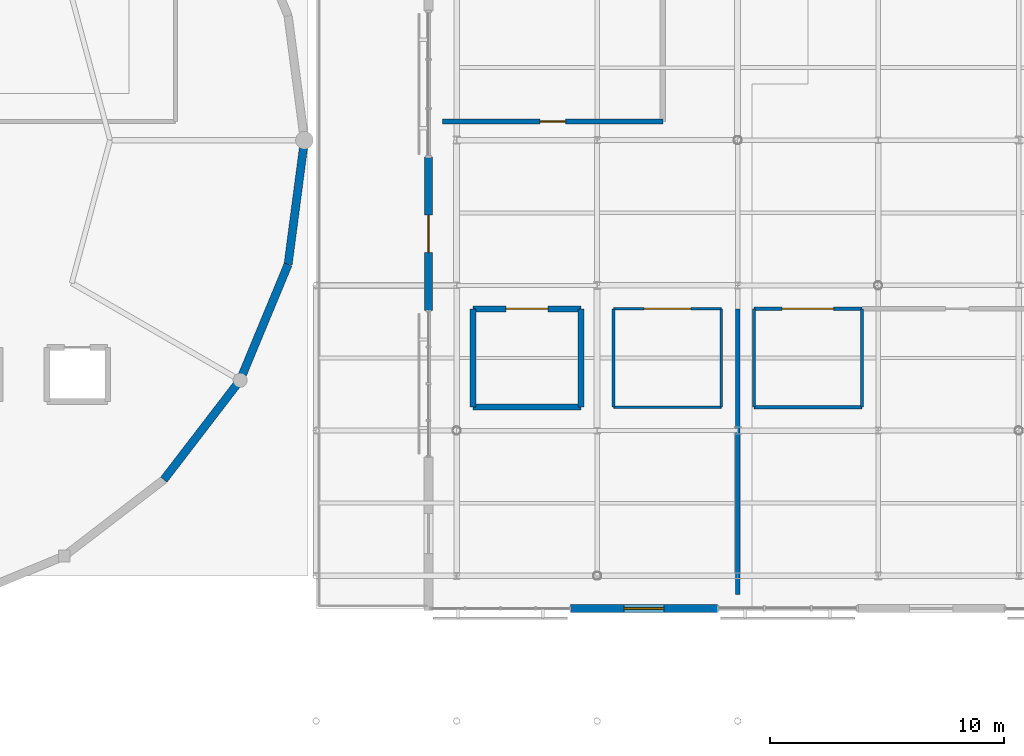
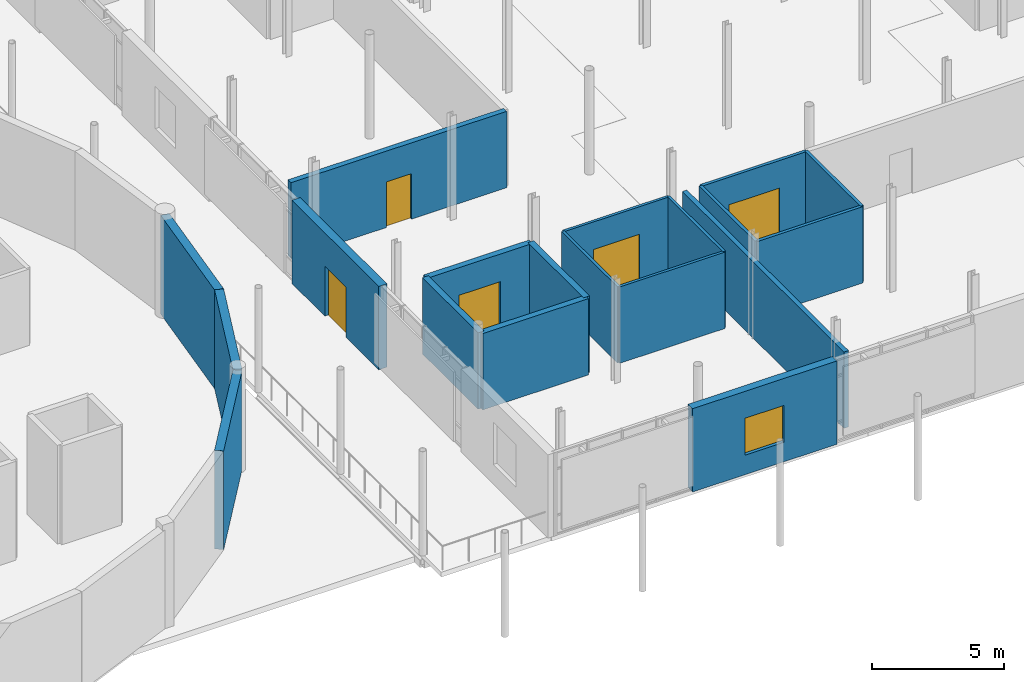
# One storey, part 59 of 84: 19 walls, 5 doors, 1 window, 6 openings.
"""IFC4 building model written with IfcOpenShell, lengths in metres."""

from ifc_helpers import new_model, si_unit, direction, frame, frame_2d, origin, place, context, subcontext, project, spatial, rectangle, extrude, material, layer, layer_set, type_object, element, fill, save


model = new_model("IFC4")

# Units and contexts
model_context = context("Model", 3, precision=1e-05, world=origin(), true_north=direction((0.0, 1.0)))
body_context = subcontext(model_context, "Body", "Model", "MODEL_VIEW")
ifc_project = project(units=[si_unit("LENGTHUNIT", "METRE"), si_unit("AREAUNIT", "SQUARE_METRE"), si_unit("VOLUMEUNIT", "CUBIC_METRE"), si_unit("PLANEANGLEUNIT", "RADIAN"), si_unit("MASSUNIT", "GRAM", prefix="KILO")], contexts=[model_context])

# Site, building, storey
site_placement = place(None, origin())
site = spatial("IfcSite", under=ifc_project, at=site_placement, CompositionType="ELEMENT")
building_placement = place(site_placement, origin())
building = spatial("IfcBuilding", under=site, at=building_placement, Name="Mirzam Square Science Centre", CompositionType="ELEMENT")
storey_placement = place(building_placement, frame((0.0, 0.0, 10.800048828125)))
storey = spatial("IfcBuildingStorey", under=building, at=storey_placement, Name="L02", CompositionType="ELEMENT", Elevation=10.800048828125)

# Walls
ifc_material_1 = material(Name="Concrete C45/55", Category="concrete")
ifc_layer_1 = layer(ifc_material_1, 0.35009765625)
ifc_layer_set_1 = layer_set([ifc_layer_1], Name="W-DRUM-350")
wall_type_1 = type_object("IfcWallType", Name="W-DRUM-350", PredefinedType="SHEAR", material=ifc_layer_set_1)
for number, where, z_axis, x_axis, name in (
    (1, (95.49560546875, 47.50439453125, 0.0), (0.0, 0.0, 1.0), (0.60876670321, 0.793349293227, 0.0), "L02 planetarium drum wall 22"),
    (2, (98.75341796875, 51.75, 0.0), (0.0, 0.0, 1.0), (0.382713071139, 0.923867255172, 0.0), "L02 planetarium drum wall 23"),
):
    element("IfcWall", number, at=place(storey_placement, frame(where, z_axis=z_axis, x_axis=x_axis)), inside=storey, type_object=wall_type_1, Name=name, PredefinedType="SHEAR", context=body_context, shape_type="SweptSolid", body=[
        extrude(rectangle(XDim=5.3515625, YDim=0.35009765625, at=frame_2d((2.67578125, 0.0))), origin(), (0.0, 0.0, 1.0), 4.550048828125),
    ])
wall_1_placement = place(storey_placement, frame((100.801513671875, 56.694091796875, 0.0), z_axis=(0.0, 0.0, 1.0), x_axis=(0.130517056518, 0.991446064069, 0.0)))
element("IfcWall", 3, at=wall_1_placement, inside=storey, type_object=wall_type_1, Name="L02 planetarium drum wall 24", PredefinedType="SHEAR", context=body_context, shape_type="SweptSolid", body=[
    extrude(rectangle(XDim=5.351806640625, YDim=0.35009765625, at=frame_2d((2.67578125, 0.0))), origin(), (0.0, 0.0, 1.0), 4.550048828125),
])

# Wall, opening, window
ifc_material_2 = material(Name="Insulated Sand-Toned GFRC Concrete C40/50", Category="concrete")
ifc_layer_2 = layer(ifc_material_2, 0.340087890625)
ifc_layer_set_2 = layer_set([ifc_layer_2], Name="W-EXT-GFRC-340")
wall_type_2 = type_object("IfcWallType", Name="W-EXT-GFRC-340", PredefinedType="SOLIDWALL", material=ifc_layer_set_2)
wall_2_placement = place(storey_placement, frame((112.8583984375, 42.0, 0.0), z_axis=(0.0, 0.0, 1.0), x_axis=(1.0, 0.0, 0.0)))
wall_2 = element("IfcWall", 4, at=wall_2_placement, inside=storey, type_object=wall_type_2, Name="L02 external wall EW-EST-S-L02-02", PredefinedType="SOLIDWALL", context=body_context, shape_type="SweptSolid", body=[
    extrude(rectangle(XDim=6.283203125, YDim=0.340087890625, at=frame_2d((3.1416015625, 0.0))), origin(), (0.0, 0.0, 1.0), 3.83984375),
])
opening_1_placement = place(wall_2_placement, frame((2.291748046875, 0.0, 0.89990234375)))
opening_1 = element("IfcOpeningElement", 5, at=opening_1_placement, cuts=wall_2, Name="Opening W-27", PredefinedType="OPENING", context=body_context, shape_type="SweptSolid", body=[
    extrude(rectangle(XDim=1.699951171875, YDim=1.699951171875, at=frame_2d((0.85009765625, 0.85009765625))), frame((0.0, 0.179931640625, 0.0), z_axis=(0.0, -1.0, 0.0), x_axis=(1.0, 0.0, 0.0)), (0.0, 0.0, 1.0), 0.360107421875),
])
ifc_material_3 = material(Name="Thermally Broken Bronze Aluminium and Low-E Glass", Category="aluminium")
window_type = type_object("IfcWindowType", Name="WIN-1700x1700", PartitioningType="SINGLE_PANEL", PredefinedType="WINDOW", material=ifc_material_3)
window_placement = place(opening_1_placement, origin())
window = element("IfcWindow", 6, at=window_placement, inside=storey, type_object=window_type, Name="L02 solar window 071", OverallHeight=1.699951171875, OverallWidth=1.699951171875, PartitioningType="SINGLE_PANEL", PredefinedType="WINDOW", context=body_context, shape_type="SweptSolid", body=[
    extrude(rectangle(XDim=1.699951171875, YDim=1.699951171875, at=frame_2d((0.85009765625, 0.85009765625))), frame((0.0, 0.030029296875, 0.0), z_axis=(0.0, -1.0, 0.0), x_axis=(1.0, 0.0, 0.0)), (0.0, 0.0, 1.0), 0.06005859375),
])
fill(opening_1, window)

# Wall, opening, door
ifc_layer_3 = layer(ifc_material_2, 0.35498046875)
ifc_layer_set_3 = layer_set([ifc_layer_3], Name="W-EXT-GFRC-355")
wall_type_3 = type_object("IfcWallType", Name="W-EXT-GFRC-355", PredefinedType="SOLIDWALL", material=ifc_layer_set_3)
wall_3_placement = place(storey_placement, frame((106.800048828125, 61.27490234375, 0.0), z_axis=(0.0, 0.0, 1.0), x_axis=(0.0, -1.0, 0.0)))
wall_3 = element("IfcWall", 7, at=wall_3_placement, inside=storey, type_object=wall_type_3, Name="L02 external wall EW-EST-W-L02-05", PredefinedType="SOLIDWALL", context=body_context, shape_type="SweptSolid", body=[
    extrude(rectangle(XDim=6.5498046875, YDim=0.35498046875, at=frame_2d((3.27490234375, 0.0))), origin(), (0.0, 0.0, 1.0), 3.83984375),
])
opening_2_placement = place(wall_3_placement, frame((2.47509765625, 0.0, 0.0)))
opening_2 = element("IfcOpeningElement", 8, at=opening_2_placement, cuts=wall_3, Name="Opening TD-03", PredefinedType="OPENING", context=body_context, shape_type="SweptSolid", body=[
    extrude(rectangle(XDim=1.60009765625, YDim=2.300048828125, at=frame_2d((0.800048828125, 1.14990234375))), frame((0.0, 0.1875, 0.0), z_axis=(0.0, -1.0, 0.0), x_axis=(1.0, 0.0, 0.0)), (0.0, 0.0, 1.0), 0.375),
])
ifc_material_4 = material(Name="Thermally Broken Bronze-Anodised Aluminium and Laminated Glass", Category="aluminium")
door_type_1 = type_object("IfcDoorType", Name="DR-TERR-1600x2300", OperationType="DOUBLE_DOOR_SINGLE_SWING", PredefinedType="DOOR", material=ifc_material_4)
door_1_placement = place(opening_2_placement, frame((1.60009765625, 0.0, 0.0), z_axis=(0.0, 0.0, 1.0), x_axis=(-1.0, 0.0, 0.0)))
door_1 = element("IfcDoor", 9, at=door_1_placement, inside=storey, type_object=door_type_1, Name="ED-L02-023", OperationType="DOUBLE_DOOR_SINGLE_SWING", OverallHeight=2.300048828125, OverallWidth=1.60009765625, PredefinedType="DOOR", context=body_context, shape_type="SweptSolid", body=[
    extrude(rectangle(XDim=1.60009765625, YDim=2.300048828125, at=frame_2d((0.800048828125, 1.14990234375))), frame((0.0, 0.02490234375, 0.0), z_axis=(0.0, -1.0, 0.0), x_axis=(1.0, 0.0, 0.0)), (0.0, 0.0, 1.0), 0.050048828125),
])
fill(opening_2, door_1)

ifc_material_5 = material(Name="Acoustic Gypsum Stud Partition", Category="gypsum")
ifc_layer_4 = layer(ifc_material_5, 0.1201171875)
ifc_layer_set_4 = layer_set([ifc_layer_4], Name="W-PART-120")
wall_type_4 = type_object("IfcWallType", Name="W-PART-120", PredefinedType="PARTITIONING", material=ifc_layer_set_4)
wall_4_placement = place(storey_placement, frame((114.699951171875, 54.800048828125, 0.0), z_axis=(0.0, 0.0, 1.0), x_axis=(1.0, 0.0, 0.0)))
wall_4 = element("IfcWall", 10, at=wall_4_placement, inside=storey, type_object=wall_type_4, Name="L02 Female WC L02 partition 164", PredefinedType="PARTITIONING", context=body_context, shape_type="SweptSolid", body=[
    extrude(rectangle(XDim=4.60009765625, YDim=0.1201171875, at=frame_2d((2.300048828125, 0.0))), origin(), (0.0, 0.0, 1.0), 3.52001953125),
])
opening_3_placement = place(wall_4_placement, frame((1.300048828125, 0.0, 0.0)))
opening_3 = element("IfcOpeningElement", 11, at=opening_3_placement, cuts=wall_4, Name="Opening D-22", PredefinedType="OPENING", context=body_context, shape_type="SweptSolid", body=[
    extrude(rectangle(XDim=2.0, YDim=2.25, at=frame_2d((1.0, 1.125))), frame((0.0, 0.070068359375, 0.0), z_axis=(0.0, -1.0, 0.0), x_axis=(1.0, 0.0, 0.0)), (0.0, 0.0, 1.0), 0.14013671875),
])
ifc_material_6 = material(Name="Powder-Coated Architectural Steel Acoustic Door", Category="steel")
door_type_2 = type_object("IfcDoorType", Name="DR-INT-2000x2250", OperationType="DOUBLE_DOOR_SINGLE_SWING", PredefinedType="DOOR", material=ifc_material_6)
door_2_placement = place(opening_3_placement, origin())
door_2 = element("IfcDoor", 12, at=door_2_placement, inside=storey, type_object=door_type_2, Name="ID-L02-0045", OperationType="DOUBLE_DOOR_SINGLE_SWING", OverallHeight=2.25, OverallWidth=2.0, PredefinedType="DOOR", context=body_context, shape_type="SweptSolid", body=[
    extrude(rectangle(XDim=2.0, YDim=2.25, at=frame_2d((1.0, 1.125))), frame((0.0, 0.02490234375, 0.0), z_axis=(0.0, -1.0, 0.0), x_axis=(1.0, 0.0, 0.0)), (0.0, 0.0, 1.0), 0.050048828125),
])
fill(opening_3, door_2)

# Walls
wall_5_placement = place(storey_placement, frame((119.300048828125, 54.800048828125, 0.0), z_axis=(0.0, 0.0, 1.0), x_axis=(0.0, -1.0, 0.0)))
element("IfcWall", 13, at=wall_5_placement, inside=storey, type_object=wall_type_4, Name="L02 Female WC L02 partition 165", PredefinedType="PARTITIONING", context=body_context, shape_type="SweptSolid", body=[
    extrude(rectangle(XDim=4.199951171875, YDim=0.1201171875, at=frame_2d((2.10009765625, 0.0))), origin(), (0.0, 0.0, 1.0), 3.52001953125),
])
wall_6_placement = place(storey_placement, frame((119.300048828125, 50.60009765625, 0.0), z_axis=(0.0, 0.0, 1.0), x_axis=(-1.0, 0.0, 0.0)))
element("IfcWall", 14, at=wall_6_placement, inside=storey, type_object=wall_type_4, Name="L02 Female WC L02 partition 166", PredefinedType="PARTITIONING", context=body_context, shape_type="SweptSolid", body=[
    extrude(rectangle(XDim=4.60009765625, YDim=0.1201171875, at=frame_2d((2.300048828125, 0.0))), origin(), (0.0, 0.0, 1.0), 3.52001953125),
])
wall_7_placement = place(storey_placement, frame((114.699951171875, 50.60009765625, 0.0), z_axis=(0.0, 0.0, 1.0), x_axis=(0.0, 1.0, 0.0)))
element("IfcWall", 15, at=wall_7_placement, inside=storey, type_object=wall_type_4, Name="L02 Female WC L02 partition 167", PredefinedType="PARTITIONING", context=body_context, shape_type="SweptSolid", body=[
    extrude(rectangle(XDim=4.199951171875, YDim=0.1201171875, at=frame_2d((2.10009765625, 0.0))), origin(), (0.0, 0.0, 1.0), 3.52001953125),
])

# Wall, opening, door
ifc_material_7 = material(Name="Double-Board Gypsum Partition", Category="gypsum")
ifc_layer_5 = layer(ifc_material_7, 0.135009765625)
ifc_layer_set_5 = layer_set([ifc_layer_5], Name="W-PART-135")
wall_type_5 = type_object("IfcWallType", Name="W-PART-135", PredefinedType="PARTITIONING", material=ifc_layer_set_5)
wall_8_placement = place(storey_placement, frame((120.699951171875, 54.800048828125, 0.0), z_axis=(0.0, 0.0, 1.0), x_axis=(1.0, 0.0, 0.0)))
wall_8 = element("IfcWall", 16, at=wall_8_placement, inside=storey, type_object=wall_type_5, Name="L02 Accessible WC L02 partition 168", PredefinedType="PARTITIONING", context=body_context, shape_type="SweptSolid", body=[
    extrude(rectangle(XDim=4.60009765625, YDim=0.135009765625, at=frame_2d((2.300048828125, 0.0))), origin(), (0.0, 0.0, 1.0), 3.52001953125),
])
opening_4_placement = place(wall_8_placement, frame((1.199951171875, 0.0, 0.0)))
opening_4 = element("IfcOpeningElement", 17, at=opening_4_placement, cuts=wall_8, Name="Opening D-23", PredefinedType="OPENING", context=body_context, shape_type="SweptSolid", body=[
    extrude(rectangle(XDim=2.199951171875, YDim=2.25, at=frame_2d((1.10009765625, 1.125))), frame((0.0, 0.077392578125, 0.0), z_axis=(0.0, -1.0, 0.0), x_axis=(1.0, 0.0, 0.0)), (0.0, 0.0, 1.0), 0.155029296875),
])
door_type_3 = type_object("IfcDoorType", Name="DR-INT-2200x2250", OperationType="DOUBLE_DOOR_SINGLE_SWING", PredefinedType="DOOR", material=ifc_material_6)
door_3_placement = place(opening_4_placement, origin())
door_3 = element("IfcDoor", 18, at=door_3_placement, inside=storey, type_object=door_type_3, Name="ID-L02-0046", OperationType="DOUBLE_DOOR_SINGLE_SWING", OverallHeight=2.25, OverallWidth=2.199951171875, PredefinedType="DOOR", context=body_context, shape_type="SweptSolid", body=[
    extrude(rectangle(XDim=2.199951171875, YDim=2.25, at=frame_2d((1.10009765625, 1.125))), frame((0.0, 0.02490234375, 0.0), z_axis=(0.0, -1.0, 0.0), x_axis=(1.0, 0.0, 0.0)), (0.0, 0.0, 1.0), 0.050048828125),
])
fill(opening_4, door_3)

# Walls
wall_9_placement = place(storey_placement, frame((125.300048828125, 54.800048828125, 0.0), z_axis=(0.0, 0.0, 1.0), x_axis=(0.0, -1.0, 0.0)))
element("IfcWall", 19, at=wall_9_placement, inside=storey, type_object=wall_type_5, Name="L02 Accessible WC L02 partition 169", PredefinedType="PARTITIONING", context=body_context, shape_type="SweptSolid", body=[
    extrude(rectangle(XDim=4.199951171875, YDim=0.135009765625, at=frame_2d((2.10009765625, 0.0))), origin(), (0.0, 0.0, 1.0), 3.52001953125),
])
wall_10_placement = place(storey_placement, frame((125.300048828125, 50.60009765625, 0.0), z_axis=(0.0, 0.0, 1.0), x_axis=(-1.0, 0.0, 0.0)))
element("IfcWall", 20, at=wall_10_placement, inside=storey, type_object=wall_type_5, Name="L02 Accessible WC L02 partition 170", PredefinedType="PARTITIONING", context=body_context, shape_type="SweptSolid", body=[
    extrude(rectangle(XDim=4.60009765625, YDim=0.135009765625, at=frame_2d((2.300048828125, 0.0))), origin(), (0.0, 0.0, 1.0), 3.52001953125),
])
wall_11_placement = place(storey_placement, frame((120.699951171875, 50.60009765625, 0.0), z_axis=(0.0, 0.0, 1.0), x_axis=(0.0, 1.0, 0.0)))
element("IfcWall", 21, at=wall_11_placement, inside=storey, type_object=wall_type_5, Name="L02 Accessible WC L02 partition 171", PredefinedType="PARTITIONING", context=body_context, shape_type="SweptSolid", body=[
    extrude(rectangle(XDim=4.199951171875, YDim=0.135009765625, at=frame_2d((2.10009765625, 0.0))), origin(), (0.0, 0.0, 1.0), 3.52001953125),
])
ifc_material_8 = material(Name="Fire-Rated Corridor Blockwork Concrete C30/37", Category="masonry")
ifc_layer_6 = layer(ifc_material_8, 0.199951171875)
ifc_layer_set_6 = layer_set([ifc_layer_6], Name="W-PART-200")
wall_type_6 = type_object("IfcWallType", Name="W-PART-200", PredefinedType="PARTITIONING", material=ifc_layer_set_6)
wall_12_placement = place(storey_placement, frame((120.0, 42.60009765625, 0.0), z_axis=(0.0, 0.0, 1.0), x_axis=(0.0, 1.0, 0.0)))
element("IfcWall", 22, at=wall_12_placement, inside=storey, type_object=wall_type_6, Name="L02 Chemistry Wet Laboratory 1 and Prep Room partition 183", PredefinedType="PARTITIONING", context=body_context, shape_type="SweptSolid", body=[
    extrude(rectangle(XDim=12.199951171875, YDim=0.199951171875, at=frame_2d((6.10009765625, 0.0))), origin(), (0.0, 0.0, 1.0), 3.52001953125),
])

# Wall, opening, door
ifc_material_9 = material(Name="Gallery Display Backing Wall Concrete C30/37", Category="concrete")
ifc_layer_7 = layer(ifc_material_9, 0.22998046875)
ifc_layer_set_7 = layer_set([ifc_layer_7], Name="W-PART-230")
wall_type_7 = type_object("IfcWallType", Name="W-PART-230", PredefinedType="PARTITIONING", material=ifc_layer_set_7)
wall_13_placement = place(storey_placement, frame((116.800048828125, 62.800048828125, 0.0), z_axis=(0.0, 0.0, 1.0), x_axis=(-1.0, 0.0, 0.0)))
wall_13 = element("IfcWall", 23, at=wall_13_placement, inside=storey, type_object=wall_type_7, Name="L02 Water and Desalination Wet Laboratory 3 partition 188", PredefinedType="PARTITIONING", context=body_context, shape_type="SweptSolid", body=[
    extrude(rectangle(XDim=9.400146484375, YDim=0.22998046875, at=frame_2d((4.7001953125, 0.0))), origin(), (0.0, 0.0, 1.0), 3.52001953125),
])
opening_5_placement = place(wall_13_placement, frame((4.14990234375, 0.0, 0.0)))
opening_5 = element("IfcOpeningElement", 24, at=opening_5_placement, cuts=wall_13, Name="Opening D-05", PredefinedType="OPENING", context=body_context, shape_type="SweptSolid", body=[
    extrude(rectangle(XDim=1.10009765625, YDim=2.10009765625, at=frame_2d((0.550048828125, 1.050048828125))), frame((0.0, 0.125, 0.0), z_axis=(0.0, -1.0, 0.0), x_axis=(1.0, 0.0, 0.0)), (0.0, 0.0, 1.0), 0.25),
])
ifc_material_10 = material(Name="Solid Core Acoustic Oak Timber Door", Category="wood")
door_type_4 = type_object("IfcDoorType", Name="DR-INT-1100x2100", OperationType="NOTDEFINED", PredefinedType="DOOR", material=ifc_material_10)
door_4_placement = place(opening_5_placement, origin())
door_4 = element("IfcDoor", 25, at=door_4_placement, inside=storey, type_object=door_type_4, Name="ID-L02-0052", OperationType="SINGLE_SWING_LEFT", OverallHeight=2.10009765625, OverallWidth=1.10009765625, PredefinedType="DOOR", context=body_context, shape_type="SweptSolid", body=[
    extrude(rectangle(XDim=1.10009765625, YDim=2.10009765625, at=frame_2d((0.550048828125, 1.050048828125))), frame((0.0, 0.02490234375, 0.0), z_axis=(0.0, -1.0, 0.0), x_axis=(1.0, 0.0, 0.0)), (0.0, 0.0, 1.0), 0.050048828125),
])
fill(opening_5, door_4)

ifc_material_11 = material(Name="Theatre Acoustic Isolation Wall Concrete C35/45", Category="concrete")
ifc_layer_8 = layer(ifc_material_11, 0.260009765625)
ifc_layer_set_8 = layer_set([ifc_layer_8], Name="W-PART-260")
wall_type_8 = type_object("IfcWallType", Name="W-PART-260", PredefinedType="PARTITIONING", material=ifc_layer_set_8)
wall_14_placement = place(storey_placement, frame((108.699951171875, 54.800048828125, 0.0), z_axis=(0.0, 0.0, 1.0), x_axis=(1.0, 0.0, 0.0)))
wall_14 = element("IfcWall", 26, at=wall_14_placement, inside=storey, type_object=wall_type_8, Name="L02 Male WC L02 partition 160", PredefinedType="PARTITIONING", context=body_context, shape_type="SweptSolid", body=[
    extrude(rectangle(XDim=4.60009765625, YDim=0.260009765625, at=frame_2d((2.300048828125, 0.0))), origin(), (0.0, 0.0, 1.0), 3.52001953125),
])
opening_6_placement = place(wall_14_placement, frame((1.39990234375, 0.0, 0.0)))
opening_6 = element("IfcOpeningElement", 27, at=opening_6_placement, cuts=wall_14, Name="Opening D-21", PredefinedType="OPENING", context=body_context, shape_type="SweptSolid", body=[
    extrude(rectangle(XDim=1.800048828125, YDim=2.25, at=frame_2d((0.89990234375, 1.125))), frame((0.0, 0.139892578125, 0.0), z_axis=(0.0, -1.0, 0.0), x_axis=(1.0, 0.0, 0.0)), (0.0, 0.0, 1.0), 0.280029296875),
])
door_type_5 = type_object("IfcDoorType", Name="DR-INT-1800x2250", OperationType="DOUBLE_DOOR_SINGLE_SWING", PredefinedType="DOOR", material=ifc_material_6)
door_5_placement = place(opening_6_placement, origin())
door_5 = element("IfcDoor", 28, at=door_5_placement, inside=storey, type_object=door_type_5, Name="ID-L02-0044", OperationType="DOUBLE_DOOR_SINGLE_SWING", OverallHeight=2.25, OverallWidth=1.800048828125, PredefinedType="DOOR", context=body_context, shape_type="SweptSolid", body=[
    extrude(rectangle(XDim=1.800048828125, YDim=2.25, at=frame_2d((0.89990234375, 1.125))), frame((0.0, 0.02490234375, 0.0), z_axis=(0.0, -1.0, 0.0), x_axis=(1.0, 0.0, 0.0)), (0.0, 0.0, 1.0), 0.050048828125),
])
fill(opening_6, door_5)

# Walls
wall_15_placement = place(storey_placement, frame((113.300048828125, 54.800048828125, 0.0), z_axis=(0.0, 0.0, 1.0), x_axis=(0.0, -1.0, 0.0)))
element("IfcWall", 29, at=wall_15_placement, inside=storey, type_object=wall_type_8, Name="L02 Male WC L02 partition 161", PredefinedType="PARTITIONING", context=body_context, shape_type="SweptSolid", body=[
    extrude(rectangle(XDim=4.199951171875, YDim=0.260009765625, at=frame_2d((2.10009765625, 0.0))), origin(), (0.0, 0.0, 1.0), 3.52001953125),
])
wall_16_placement = place(storey_placement, frame((113.300048828125, 50.60009765625, 0.0), z_axis=(0.0, 0.0, 1.0), x_axis=(-1.0, 0.0, 0.0)))
element("IfcWall", 30, at=wall_16_placement, inside=storey, type_object=wall_type_8, Name="L02 Male WC L02 partition 162", PredefinedType="PARTITIONING", context=body_context, shape_type="SweptSolid", body=[
    extrude(rectangle(XDim=4.60009765625, YDim=0.260009765625, at=frame_2d((2.300048828125, 0.0))), origin(), (0.0, 0.0, 1.0), 3.52001953125),
])
wall_17_placement = place(storey_placement, frame((108.699951171875, 50.60009765625, 0.0), z_axis=(0.0, 0.0, 1.0), x_axis=(0.0, 1.0, 0.0)))
element("IfcWall", 31, at=wall_17_placement, inside=storey, type_object=wall_type_8, Name="L02 Male WC L02 partition 163", PredefinedType="PARTITIONING", context=body_context, shape_type="SweptSolid", body=[
    extrude(rectangle(XDim=4.199951171875, YDim=0.260009765625, at=frame_2d((2.10009765625, 0.0))), origin(), (0.0, 0.0, 1.0), 3.52001953125),
])

save(model, "model.ifc")
